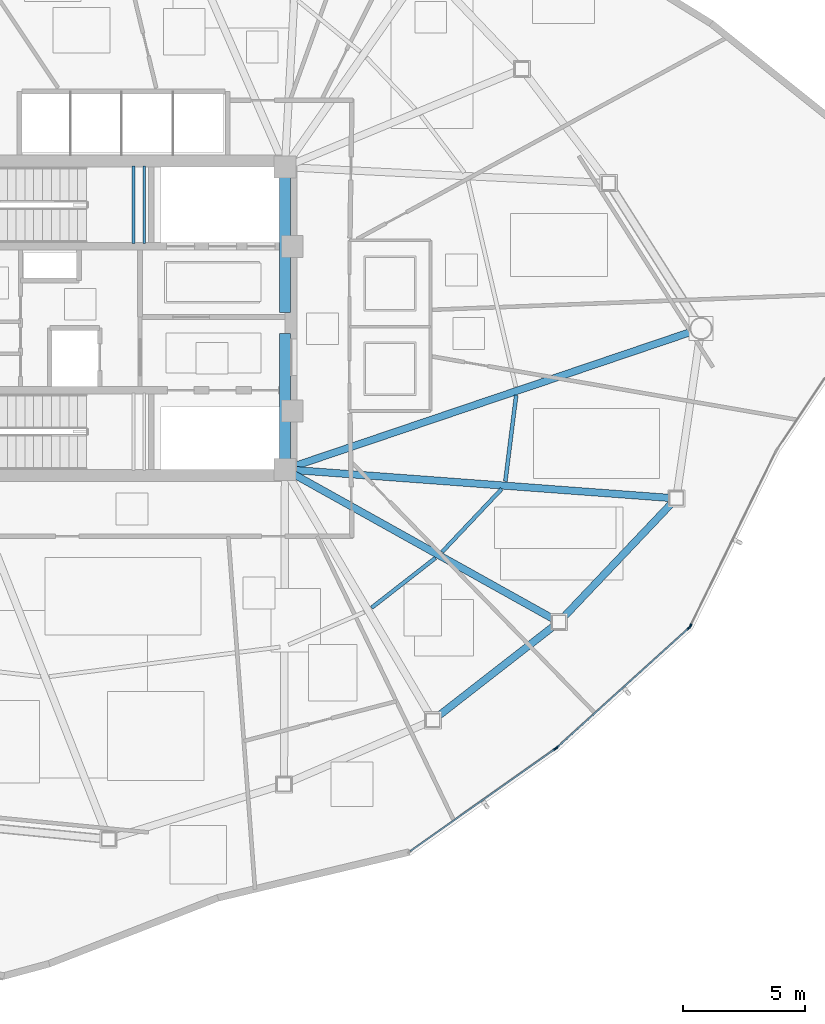
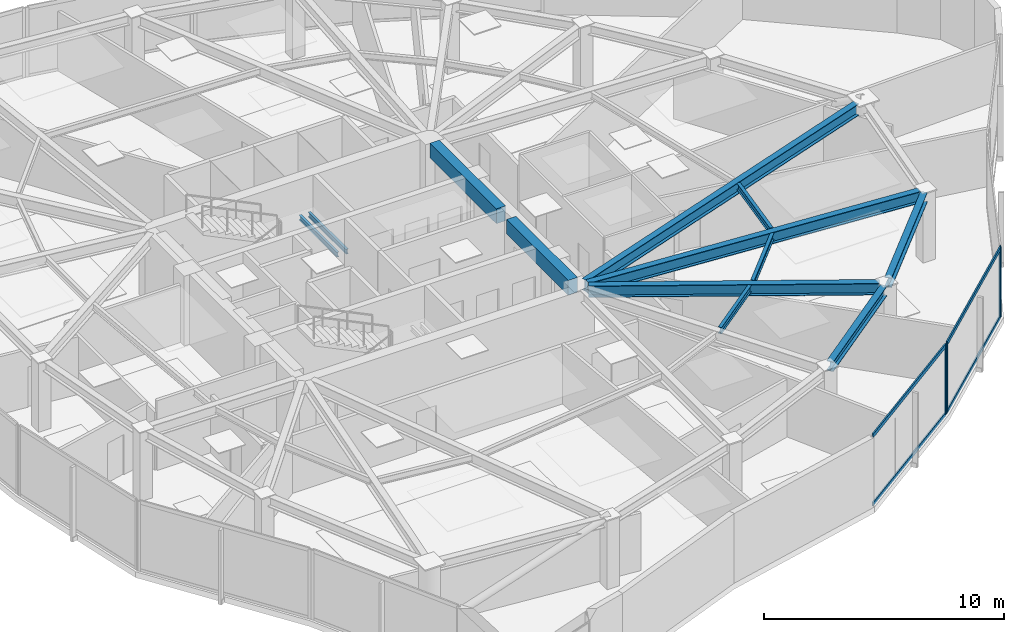
# One storey, part 5 of 17: 12 beams, 8 members, 3 elements without a shape of their own.
"""IFC4 building model written with IfcOpenShell, lengths in metres."""

from ifc_helpers import new_model, si_unit, direction, frame, origin, origin_2d, place, context, subcontext, project, spatial, rectangle, hollow_rectangle, i_section, extrude, source, transform, mapped, material, layer, layer_set, material_profile, profile_set, type_object, type_shapes, element, aggregate, save


model = new_model("IFC4")

# Units and contexts
model_context = context("Model", 3, precision=1e-05, world=origin(), true_north=direction((0.0, 1.0)))
body_context = subcontext(model_context, "Body", "Model", "MODEL_VIEW")
ifc_project = project(units=[si_unit("LENGTHUNIT", "METRE"), si_unit("AREAUNIT", "SQUARE_METRE"), si_unit("VOLUMEUNIT", "CUBIC_METRE"), si_unit("PLANEANGLEUNIT", "RADIAN"), si_unit("MASSUNIT", "GRAM", prefix="KILO")], contexts=[model_context])

# Site, building, storey
site_placement = place(None, origin())
site = spatial("IfcSite", under=ifc_project, at=site_placement, CompositionType="ELEMENT")
building_placement = place(site_placement, origin())
building = spatial("IfcBuilding", under=site, at=building_placement, Name="Tavelor Broadcast Tower", CompositionType="ELEMENT")
storey_placement = place(building_placement, frame((0.0, 0.0, 196.449951171875)))
storey = spatial("IfcBuildingStorey", under=building, at=storey_placement, Name="L47", CompositionType="ELEMENT", Elevation=196.449951171875)

# Beams
ifc_material_1 = material(Name="Concrete C40/50", Category="concrete")
ifc_material_profile_1 = material_profile(ifc_material_1, rectangle(XDim=0.449951171875, YDim=0.75, at=origin_2d()), Name="RC 450x750")
ifc_profile_set_1 = profile_set([ifc_material_profile_1], Name="Concrete C40/50")
beam_type_1 = type_object("IfcBeamType", Name="Basement Core Trim Beam 450x750", PredefinedType="BEAM", material=ifc_profile_set_1)
beam_1_placement = place(storey_placement, frame((56.60009765625, 45.23193359375, 3.175048828125), z_axis=(0.0, 1.0, 0.0), x_axis=(-1.0, 0.0, 0.0)))
element("IfcBeam", 1, at=beam_1_placement, inside=storey, type_object=beam_type_1, Name="L47 Core East-N Tie Girder", PredefinedType="BEAM", context=body_context, shape_type="SweptSolid", body=[
    extrude(rectangle(XDim=0.449951171875, YDim=0.75, at=origin_2d()), origin(), (0.0, 0.0, 1.0), 5.5361328125),
])
beam_2_placement = place(storey_placement, frame((56.60009765625, 39.23193359375, 3.175048828125), z_axis=(0.0, 1.0, 0.0), x_axis=(-1.0, 0.0, 0.0)))
element("IfcBeam", 2, at=beam_2_placement, inside=storey, type_object=beam_type_1, Name="L47 Core East-S Tie Girder", PredefinedType="BEAM", context=body_context, shape_type="SweptSolid", body=[
    extrude(rectangle(XDim=0.449951171875, YDim=0.75, at=origin_2d()), origin(), (0.0, 0.0, 1.0), 5.135986328125),
])
ifc_material_2 = material(Name="Steel S355", Category="steel")
ifc_material_profile_2 = material_profile(ifc_material_2, i_section(OverallWidth=0.159912109375, OverallDepth=0.330078125, WebThickness=0.007568359375, FlangeThickness=0.011474609375, at=origin_2d()), Name="IPE 330")
ifc_profile_set_2 = profile_set([ifc_material_profile_2], Name="Steel S355")
beam_type_2 = type_object("IfcBeamType", Name="Composite Floor Joist T4 IPE 330", PredefinedType="JOIST", material=ifc_profile_set_2)
beam_3_placement = place(storey_placement, frame((60.156005859375, 33.120361328125, 3.385009765625), z_axis=(0.788651848012, 0.614840030112, 0.0), x_axis=(-0.614840030112, 0.788651848012, 0.0)))
element("IfcBeam", 3, at=beam_3_placement, inside=storey, type_object=beam_type_2, Name="L47 Secondary Composite Floor Joist 10", PredefinedType="JOIST", context=body_context, shape_type="SweptSolid", body=[
    extrude(i_section(OverallWidth=0.159912109375, OverallDepth=0.330078125, WebThickness=0.007568359375, FlangeThickness=0.011474609375, at=origin_2d()), origin(), (0.0, 0.0, 1.0), 3.32470703125),
])
beam_4_placement = place(storey_placement, frame((63.04541015625, 35.4072265625, 3.385009765625), z_axis=(0.687334543524, 0.726340984166, 0.0), x_axis=(-0.726340984166, 0.687334543524, 0.0)))
element("IfcBeam", 4, at=beam_4_placement, inside=storey, type_object=beam_type_2, Name="L47 Secondary Composite Floor Joist 11", PredefinedType="JOIST", context=body_context, shape_type="SweptSolid", body=[
    extrude(i_section(OverallWidth=0.159912109375, OverallDepth=0.330078125, WebThickness=0.007568359375, FlangeThickness=0.011474609375, at=origin_2d()), origin(), (0.0, 0.0, 1.0), 3.567626953125),
])
beam_5_placement = place(storey_placement, frame((65.64453125, 38.3095703125, 3.385009765625), z_axis=(0.124499310057, 0.992219694319, 0.0), x_axis=(-0.992219694319, 0.124499310057, 0.0)))
element("IfcBeam", 5, at=beam_5_placement, inside=storey, type_object=beam_type_2, Name="L47 Secondary Composite Floor Joist 12", PredefinedType="JOIST", context=body_context, shape_type="SweptSolid", body=[
    extrude(i_section(OverallWidth=0.159912109375, OverallDepth=0.330078125, WebThickness=0.007568359375, FlangeThickness=0.011474609375, at=origin_2d()), origin(), (0.0, 0.0, 1.0), 3.55712890625),
])
ifc_material_profile_3 = material_profile(ifc_material_2, i_section(OverallWidth=0.300048828125, OverallDepth=0.5, WebThickness=0.014404296875, FlangeThickness=0.028076171875, at=origin_2d()), Name="HEB 500")
ifc_profile_set_3 = profile_set([ifc_material_profile_3], Name="Steel S355")
beam_type_3 = type_object("IfcBeamType", Name="Perimeter Spandrel Beam T4 HEB 500", PredefinedType="SPANDREL", material=ifc_profile_set_3)
beam_6_placement = place(storey_placement, frame((62.896484375, 28.68017578125, 3.300048828125), z_axis=(0.788978387361, 0.614420950389, 0.0), x_axis=(-0.614420950389, 0.788978387361, 0.0)))
element("IfcBeam", 6, at=beam_6_placement, inside=storey, type_object=beam_type_3, Name="L47 Framed-Tube Ring Spandrel 10", PredefinedType="SPANDREL", context=body_context, shape_type="SweptSolid", body=[
    extrude(i_section(OverallWidth=0.300048828125, OverallDepth=0.5, WebThickness=0.014404296875, FlangeThickness=0.028076171875, at=origin_2d()), origin(), (0.0, 0.0, 1.0), 5.98046875),
])
beam_7_placement = place(storey_placement, frame((68.04052734375, 32.74072265625, 3.300048828125), z_axis=(0.688387662899, 0.725342970993, 0.0), x_axis=(-0.725342970993, 0.688387662899, 0.0)))
element("IfcBeam", 7, at=beam_7_placement, inside=storey, type_object=beam_type_3, Name="L47 Framed-Tube Ring Spandrel 11", PredefinedType="SPANDREL", context=body_context, shape_type="SweptSolid", body=[
    extrude(i_section(OverallWidth=0.300048828125, OverallDepth=0.5, WebThickness=0.014404296875, FlangeThickness=0.028076171875, at=origin_2d()), origin(), (0.0, 0.0, 1.0), 6.42138671875),
])
ifc_material_profile_4 = material_profile(ifc_material_2, i_section(OverallWidth=0.300048828125, OverallDepth=0.590087890625, WebThickness=0.012939453125, FlangeThickness=0.02490234375, at=origin_2d()), Name="HEA 600")
ifc_profile_set_4 = profile_set([ifc_material_profile_4], Name="Steel S355")
beam_type_4 = type_object("IfcBeamType", Name="Radial Floor Girder T4 HEA 600", PredefinedType="BEAM", material=ifc_profile_set_4)
beam_8_placement = place(storey_placement, frame((56.977294921875, 38.589599609375, 3.255126953125), z_axis=(0.8734199139, -0.486967816187, 0.0), x_axis=(0.486967816187, 0.8734199139, 0.0)))
element("IfcBeam", 8, at=beam_8_placement, inside=storey, type_object=beam_type_4, Name="L47 Radial Primary Floor Girder 11", PredefinedType="BEAM", context=body_context, shape_type="SweptSolid", body=[
    extrude(i_section(OverallWidth=0.300048828125, OverallDepth=0.590087890625, WebThickness=0.012939453125, FlangeThickness=0.02490234375, at=origin_2d()), origin(), (0.0, 0.0, 1.0), 12.151611328125),
])
beam_9_placement = place(storey_placement, frame((57.03076171875, 38.76806640625, 3.255126953125), z_axis=(0.997253315852, -0.074066348787, 0.0), x_axis=(0.074066348787, 0.997253315852, 0.0)))
element("IfcBeam", 9, at=beam_9_placement, inside=storey, type_object=beam_type_4, Name="L47 Radial Primary Floor Girder 12", PredefinedType="BEAM", context=body_context, shape_type="SweptSolid", body=[
    extrude(i_section(OverallWidth=0.300048828125, OverallDepth=0.590087890625, WebThickness=0.012939453125, FlangeThickness=0.02490234375, at=origin_2d()), origin(), (0.0, 0.0, 1.0), 15.383544921875),
])
beam_10_placement = place(storey_placement, frame((57.00927734375, 38.9384765625, 3.255126953125), z_axis=(0.947214639948, 0.320600102727, 0.0), x_axis=(-0.320600102727, 0.947214639948, 0.0)))
element("IfcBeam", 10, at=beam_10_placement, inside=storey, type_object=beam_type_4, Name="L47 Radial Primary Floor Girder 13", PredefinedType="BEAM", context=body_context, shape_type="SweptSolid", body=[
    extrude(i_section(OverallWidth=0.300048828125, OverallDepth=0.590087890625, WebThickness=0.012939453125, FlangeThickness=0.02490234375, at=origin_2d()), origin(), (0.0, 0.0, 1.0), 17.15673828125),
])
ifc_material_profile_5 = material_profile(ifc_material_2, i_section(OverallWidth=0.1201171875, OverallDepth=0.239990234375, WebThickness=0.006103515625, FlangeThickness=0.009765625, at=origin_2d()), Name="IPE 240")
ifc_profile_set_5 = profile_set([ifc_material_profile_5], Name="Steel S355")
beam_type_5 = type_object("IfcBeamType", Name="Stairwell Landing Support Trimmer Beam IPE240", PredefinedType="BEAM", material=ifc_profile_set_5)
for number, where, z_axis, x_axis, name in (
    (11, (50.385009765625, 48.06005859375, 1.610107421875), (0.0, 1.0, 0.0), (-1.0, 0.0, 0.0), "L47 Stair Landing Support Beam 127"),
    (12, (50.824951171875, 48.06005859375, 1.610107421875), (0.0, 1.0, 0.0), (-1.0, 0.0, 0.0), "L47 Stair Landing Support Beam 128"),
):
    element("IfcBeam", number, at=place(storey_placement, frame(where, z_axis=z_axis, x_axis=x_axis)), inside=storey, type_object=beam_type_5, Name=name, PredefinedType="BEAM", context=body_context, shape_type="SweptSolid", body=[
        extrude(i_section(OverallWidth=0.1201171875, OverallDepth=0.239990234375, WebThickness=0.006103515625, FlangeThickness=0.009765625, at=origin_2d()), origin(), (0.0, 0.0, 1.0), 3.179931640625),
    ])

# Curtain wall, member
ifc_material_3 = material(Name="Architectural Anodized Aluminium", Category="aluminium")
ifc_layer = layer(ifc_material_3, 0.18994140625)
ifc_layer_set = layer_set([ifc_layer], Name="Architectural Anodized Aluminium")
curtain_wall_type = type_object("IfcCurtainWallType", Name="Tower Mid-Zone Acoustic Curtain Wall CW03", PredefinedType="NOTDEFINED", material=ifc_layer_set)
curtain_wall_1_placement = place(storey_placement, origin())
curtain_wall_1 = element("IfcCurtainWall", 13, at=curtain_wall_1_placement, inside=storey, type_object=curtain_wall_type, Name="L47 Curtain Wall CW03 Run 509", PredefinedType="NOTDEFINED")
ifc_material_profile_6 = material_profile(ifc_material_3, hollow_rectangle(XDim=0.068115234375, YDim=0.18994140625, WallThickness=0.02197265625, at=origin_2d()), Name="RHS 68x190x22")
ifc_profile_set_6 = profile_set([ifc_material_profile_6], Name="Architectural Anodized Aluminium")
member_type_1 = type_object("IfcMemberType", Name="CW03 Extruded Aluminium Mullion 68x190", PredefinedType="MULLION", material=ifc_profile_set_6)
shared_shape_1 = source(origin(), body_context, "Body", "SweptSolid", [
    extrude(hollow_rectangle(XDim=0.068115234375, YDim=0.18994140625, WallThickness=0.02197265625, at=origin_2d()), origin(), (0.0, 0.0, 1.0), 3.550048828125),
])
type_shapes(member_type_1, [shared_shape_1])
member_1_placement = place(storey_placement, frame((67.692626953125, 27.331298828125, 0.0), z_axis=(0.0, 0.0, 1.0), x_axis=(-0.576771429639, 0.816905574685, 0.0)))
member_1 = element("IfcMember", 14, at=member_1_placement, type_object=member_type_1, Name="CW03 mullion 2", PredefinedType="MULLION", context=body_context, shape_type="MappedRepresentation", body=[
    mapped(shared_shape_1, transform((0.0, 0.0, 0.0), scale=1.0)),
])

# Curtain wall, members
curtain_wall_2_placement = place(storey_placement, origin())
curtain_wall_2 = element("IfcCurtainWall", 15, at=curtain_wall_2_placement, inside=storey, type_object=curtain_wall_type, Name="L47 Curtain Wall CW03 Run 510", PredefinedType="NOTDEFINED")
member_2_placement = place(storey_placement, frame((67.768798828125, 27.392333984375, 0.0), z_axis=(0.0, 0.0, 1.0), x_axis=(-0.671396281035, 0.741098531784, 0.0)))
member_2 = element("IfcMember", 16, at=member_2_placement, type_object=member_type_1, Name="CW03 mullion 1", PredefinedType="MULLION", context=body_context, shape_type="MappedRepresentation", body=[
    mapped(shared_shape_1, transform((0.0, 0.0, 0.0), scale=1.0)),
])
member_3_placement = place(storey_placement, frame((73.181396484375, 32.2958984375, 0.0), z_axis=(0.0, 0.0, 1.0), x_axis=(-0.671396281035, 0.741098531784, 0.0)))
member_3 = element("IfcMember", 17, at=member_3_placement, type_object=member_type_1, Name="CW03 mullion 2", PredefinedType="MULLION", context=body_context, shape_type="MappedRepresentation", body=[
    mapped(shared_shape_1, transform((0.0, 0.0, 0.0), scale=1.0)),
])

# Curtain wall, member
curtain_wall_3_placement = place(storey_placement, origin())
curtain_wall_3 = element("IfcCurtainWall", 18, at=curtain_wall_3_placement, inside=storey, type_object=curtain_wall_type, Name="L47 Curtain Wall CW03 Run 511", PredefinedType="NOTDEFINED")
member_4_placement = place(storey_placement, frame((73.2392578125, 32.372802734375, 0.0), z_axis=(0.0, 0.0, 1.0), x_axis=(-0.898228740478, 0.439528303729, 0.0)))
member_4 = element("IfcMember", 19, at=member_4_placement, type_object=member_type_1, Name="CW03 mullion 1", PredefinedType="MULLION", context=body_context, shape_type="MappedRepresentation", body=[
    mapped(shared_shape_1, transform((0.0, 0.0, 0.0), scale=1.0)),
])
aggregate(curtain_wall_3, [member_4])

# Member
ifc_material_profile_7 = material_profile(ifc_material_3, hollow_rectangle(XDim=0.068115234375, YDim=0.18994140625, WallThickness=0.02197265625, at=origin_2d()), Name="RHS 68x190x22")
ifc_profile_set_7 = profile_set([ifc_material_profile_7], Name="Architectural Anodized Aluminium")
member_type_2 = type_object("IfcMemberType", Name="CW03 Extruded Aluminium Transom 68x190", PredefinedType="USERDEFINED", material=ifc_profile_set_7)
shared_shape_2 = source(origin(), body_context, "Body", "SweptSolid", [
    extrude(hollow_rectangle(XDim=0.068115234375, YDim=0.18994140625, WallThickness=0.02197265625, at=origin_2d()), origin(), (0.0, 0.0, 1.0), 7.25048828125),
])
member_5_placement = place(storey_placement, frame((61.741943359375, 23.1298828125, 0.033935546875), z_axis=(0.816899734501, 0.576779701248, 0.0), x_axis=(-0.576779701248, 0.816899734501, 0.0)))
member_5 = element("IfcMember", 20, at=member_5_placement, type_object=member_type_2, Name="CW03 transom 1.1", ObjectType="TRANSOM", PredefinedType="USERDEFINED", context=body_context, shape_type="MappedRepresentation", body=[
    mapped(shared_shape_2, transform((0.0, 0.0, 0.0), scale=1.0)),
])

member_6_placement = place(storey_placement, frame((61.741943359375, 23.1298828125, 3.51611328125), z_axis=(0.816899734501, 0.576779701248, 0.0), x_axis=(-0.576779701248, 0.816899734501, 0.0)))
member_6 = element("IfcMember", 21, at=member_6_placement, type_object=member_type_2, Name="CW03 transom 1.2", ObjectType="TRANSOM", PredefinedType="USERDEFINED", context=body_context, shape_type="MappedRepresentation", body=[
    mapped(shared_shape_2, transform((0.0, 0.0, 0.0), scale=1.0)),
])

aggregate(curtain_wall_1, [member_1, member_5, member_6])

shared_shape_3 = source(origin(), body_context, "Body", "SweptSolid", [
    extrude(hollow_rectangle(XDim=0.068115234375, YDim=0.18994140625, WallThickness=0.02197265625, at=origin_2d()), origin(), (0.0, 0.0, 1.0), 7.2353515625),
])
type_shapes(member_type_2, [shared_shape_2, shared_shape_3])
member_7_placement = place(storey_placement, frame((67.794189453125, 27.415283203125, 0.033935546875), z_axis=(0.741103947092, 0.671390303478, 0.0), x_axis=(-0.671390303478, 0.741103947092, 0.0)))
member_7 = element("IfcMember", 22, at=member_7_placement, type_object=member_type_2, Name="CW03 transom 1.1", ObjectType="TRANSOM", PredefinedType="USERDEFINED", context=body_context, shape_type="MappedRepresentation", body=[
    mapped(shared_shape_3, transform((0.0, 0.0, 0.0), scale=1.0)),
])

member_8_placement = place(storey_placement, frame((67.794189453125, 27.415283203125, 3.51611328125), z_axis=(0.741103947092, 0.671390303478, 0.0), x_axis=(-0.671390303478, 0.741103947092, 0.0)))
member_8 = element("IfcMember", 23, at=member_8_placement, type_object=member_type_2, Name="CW03 transom 1.2", ObjectType="TRANSOM", PredefinedType="USERDEFINED", context=body_context, shape_type="MappedRepresentation", body=[
    mapped(shared_shape_3, transform((0.0, 0.0, 0.0), scale=1.0)),
])

aggregate(curtain_wall_2, [member_2, member_3, member_7, member_8])

save(model, "model.ifc")
